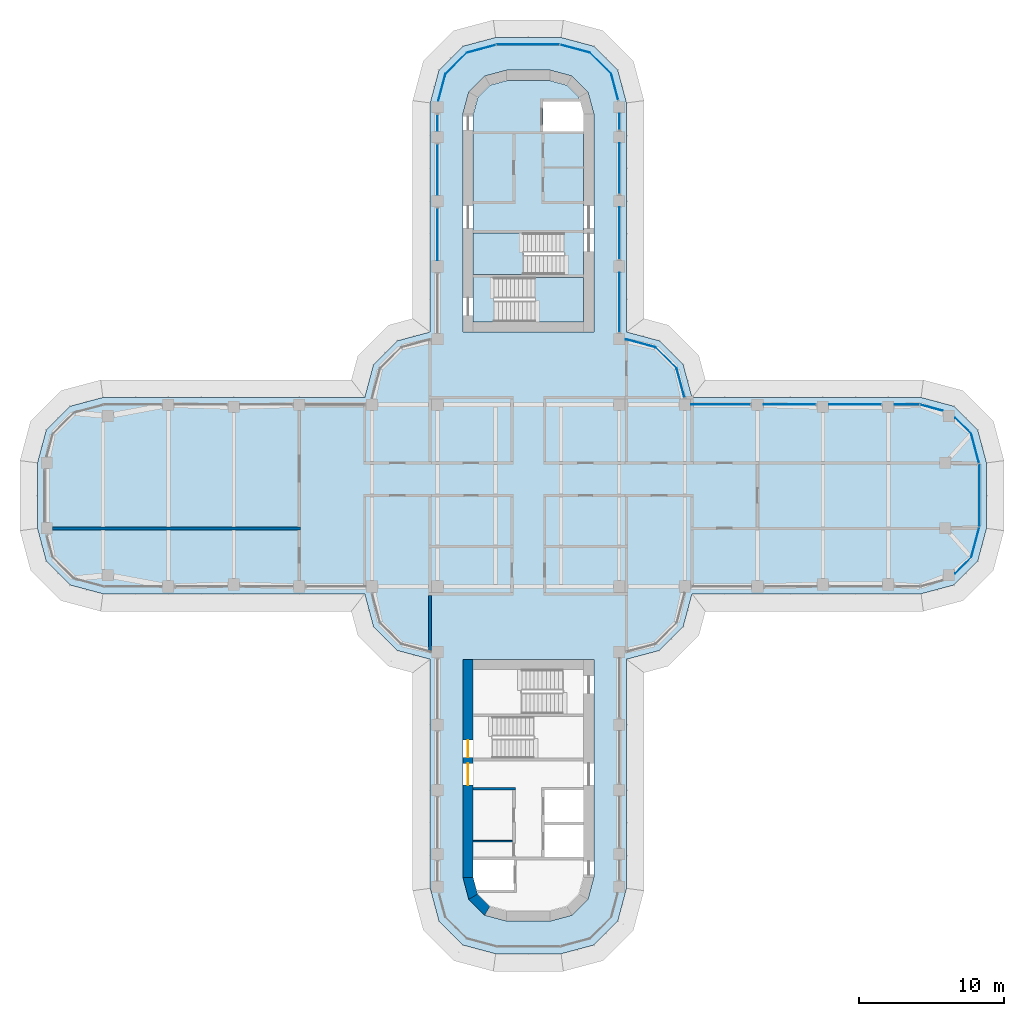
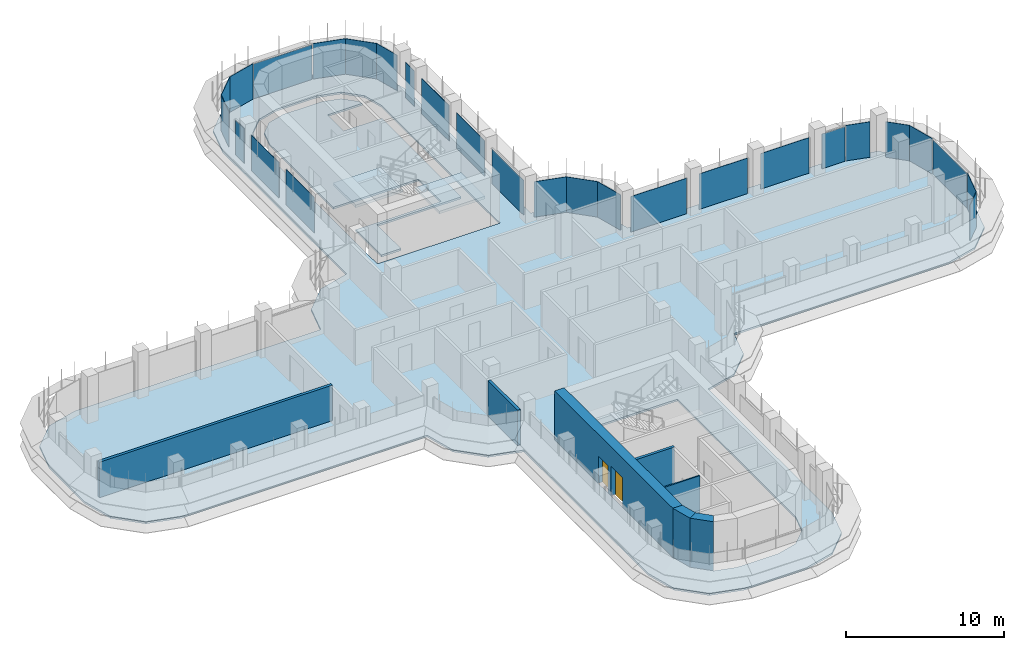
# One storey, part 12 of 19: 27 plates, 7 walls, 4 slabs, 2 doors, 2 openings, 21 elements without a shape of their own.
"""IFC4 building model written with IfcOpenShell, lengths in metres."""

from ifc_helpers import new_model, si_unit, direction, frame, frame_2d, origin, place, context, subcontext, project, spatial, polyline, rectangle, outline, extrude, source, transform, mapped, material, layer, layer_set, type_object, element, fill, aggregate, save


model = new_model("IFC4")

# Units and contexts
model_context = context("Model", 3, precision=1e-05, world=origin(), true_north=direction((0.0, 1.0)))
body_context = subcontext(model_context, "Body", "Model", "MODEL_VIEW")
ifc_project = project(units=[si_unit("LENGTHUNIT", "METRE"), si_unit("AREAUNIT", "SQUARE_METRE"), si_unit("VOLUMEUNIT", "CUBIC_METRE"), si_unit("PLANEANGLEUNIT", "RADIAN"), si_unit("MASSUNIT", "GRAM", prefix="KILO")], contexts=[model_context])

# Site, building, storey
site_placement = place(None, origin())
site = spatial("IfcSite", under=ifc_project, at=site_placement, CompositionType="ELEMENT")
building_placement = place(site_placement, origin())
building = spatial("IfcBuilding", under=site, at=building_placement, Name="Zarbagh Exchange Tower", CompositionType="ELEMENT")
storey_placement = place(building_placement, frame((0.0, 0.0, 179.0)))
storey = spatial("IfcBuildingStorey", under=building, at=storey_placement, Name="L43", CompositionType="ELEMENT", Elevation=179.0)

# Slabs
ifc_material_1 = material(Name="Concrete C40/50", Category="concrete")
ifc_layer_1 = layer(ifc_material_1, 0.14990234375)
ifc_layer_set_1 = layer_set([ifc_layer_1], Name="Composite floor slab 150 C40/50")
slab_type_1 = type_object("IfcSlabType", Name="Composite floor slab 150 C40/50", PredefinedType="FLOOR", material=ifc_layer_set_1)
slab_1_placement = place(storey_placement, frame((0.0, 0.0, -0.14990234375)))
element("IfcSlab", 1, at=slab_1_placement, inside=storey, type_object=slab_type_1, Name="S5 composite floor slab", PredefinedType="FLOOR", context=body_context, shape_type="SweptSolid", body=[
    extrude(outline(polyline([(-2.25, -31.5), (-4.5, -30.897216796875), (-6.147216796875, -29.25), (-6.75, -27.0), (-6.75, -11.25), (-9.0, -10.647216796875), (-10.647216796875, -9.0), (-11.25, -6.75), (-29.25, -6.75), (-31.5, -6.147216796875), (-33.147216796875, -4.5), (-33.75, -2.25), (-33.75, 2.25), (-33.147216796875, 4.5), (-31.5, 6.147216796875), (-29.25, 6.75), (-11.25, 6.75), (-10.647216796875, 9.0), (-9.0, 10.647216796875), (-6.75, 11.25), (-6.75, 27.0), (-6.147216796875, 29.25), (-4.5, 30.897216796875), (-2.25, 31.5), (2.25, 31.5), (4.5, 30.897216796875), (6.147216796875, 29.25), (6.75, 27.0), (6.75, 11.25), (9.0, 10.647216796875), (10.647216796875, 9.0), (11.25, 6.75), (27.0, 6.75), (29.25, 6.147216796875), (30.897216796875, 4.5), (31.5, 2.25), (31.5, -2.25), (30.897216796875, -4.5), (29.25, -6.147216796875), (27.0, -6.75), (11.25, -6.75), (10.647216796875, -9.0), (9.0, -10.647216796875), (6.75, -11.25), (6.75, -27.0), (6.147216796875, -29.25), (4.5, -30.897216796875), (2.25, -31.5), (-2.25, -31.5)]), holes=[polyline([(4.5, 11.25), (4.5, 26.25), (4.09814453125, 27.75), (3.0, 28.84814453125), (1.5, 29.25), (-1.5, 29.25), (-3.0, 28.84814453125), (-4.09814453125, 27.75), (-4.5, 26.25), (-4.5, 11.25), (4.5, 11.25)]), polyline([(-1.5, -29.25), (1.5, -29.25), (3.0, -28.84814453125), (4.09814453125, -27.75), (4.5, -26.25), (4.5, -11.25), (-4.5, -11.25), (-4.5, -26.25), (-4.09814453125, -27.75), (-3.0, -28.84814453125), (-1.5, -29.25)])]), origin(), (0.0, 0.0, 1.0), 0.14990234375),
])
ifc_layer_2 = layer(ifc_material_1, 0.14990234375)
ifc_layer_set_2 = layer_set([ifc_layer_2], Name="Core floor slab 150 C40/50")
slab_type_2 = type_object("IfcSlabType", Name="Core floor slab 150 C40/50", PredefinedType="FLOOR", material=ifc_layer_set_2)
slab_2_placement = place(storey_placement, frame((0.0, 0.0, -0.14990234375)))
element("IfcSlab", 2, at=slab_2_placement, inside=storey, type_object=slab_type_2, Name="S17 core N", PredefinedType="FLOOR", context=body_context, shape_type="SweptSolid", body=[
    extrude(outline(polyline([(-3.800048828125, 11.949951171875), (-3.800048828125, 15.199951171875), (2.449951171875, 15.199951171875), (2.449951171875, 18.050048828125), (-3.800048828125, 18.050048828125), (-3.800048828125, 26.15771484375), (-3.470458984375, 27.3876953125), (-2.6376953125, 28.220458984375), (-1.40771484375, 28.550048828125), (1.40771484375, 28.550048828125), (2.6376953125, 28.220458984375), (3.470458984375, 27.3876953125), (3.800048828125, 26.15771484375), (3.800048828125, 26.15771484375), (3.547607421875, 27.10009765625), (1.0, 27.10009765625), (1.0, 25.050048828125), (3.800048828125, 25.050048828125), (3.800048828125, 15.0), (-2.35009765625, 15.0), (-2.35009765625, 11.949951171875), (-3.800048828125, 11.949951171875)])), origin(), (0.0, 0.0, 1.0), 0.14990234375),
])

# Stair, slab
stair_type = type_object("IfcStairType", Name="Exit stair two-flight half-turn", PredefinedType="HALF_TURN_STAIR", material=ifc_material_1)
stair_1_placement = place(storey_placement, origin())
stair_1 = element("IfcStair", 3, at=stair_1_placement, inside=storey, type_object=stair_type, Name="exit stair ST1", PredefinedType="HALF_TURN_STAIR")
ifc_layer_3 = layer(ifc_material_1, 0.199951171875)
ifc_layer_set_3 = layer_set([ifc_layer_3], Name="Stair landing 200 mm")
slab_type_3 = type_object("IfcSlabType", Name="Stair landing 200 mm", PredefinedType="LANDING", material=ifc_layer_set_3)
slab_3_placement = place(storey_placement, frame((0.0, 0.0, 1.699951171875)))
slab_3 = element("IfcSlab", 4, at=slab_3_placement, type_object=slab_type_3, Name="ST1 landing 1", PredefinedType="LANDING", context=body_context, shape_type="SweptSolid", body=[
    extrude(outline(polyline([(-0.35009765625, 18.050048828125), (-3.800048828125, 18.050048828125), (-3.800048828125, 15.199951171875), (-0.35009765625, 15.199951171875), (-0.35009765625, 18.050048828125)])), origin(), (0.0, 0.0, 1.0), 0.199951171875),
])
aggregate(stair_1, [slab_3])

stair_2_placement = place(storey_placement, origin())
stair_2 = element("IfcStair", 5, at=stair_2_placement, inside=storey, type_object=stair_type, Name="exit stair ST2", PredefinedType="HALF_TURN_STAIR")
slab_4_placement = place(storey_placement, frame((0.0, 0.0, 1.699951171875)))
slab_4 = element("IfcSlab", 6, at=slab_4_placement, type_object=slab_type_3, Name="ST2 landing 1", PredefinedType="LANDING", context=body_context, shape_type="SweptSolid", body=[
    extrude(outline(polyline([(0.449951171875, 11.949951171875), (3.800048828125, 11.949951171875), (3.800048828125, 15.0), (0.449951171875, 15.0), (0.449951171875, 11.949951171875)])), origin(), (0.0, 0.0, 1.0), 0.199951171875),
])
aggregate(stair_2, [slab_4])

# Curtain wall, plate
ifc_material_2 = material(Name="Anodised aluminium frame and glazing", Category="aluminium")
curtain_wall_type = type_object("IfcCurtainWallType", Name="CWB Ribbon glazing, upper zones", PredefinedType="NOTDEFINED", material=ifc_material_2)
curtain_wall_1_placement = place(storey_placement, origin())
curtain_wall_1 = element("IfcCurtainWall", 7, at=curtain_wall_1_placement, inside=storey, type_object=curtain_wall_type, Name="CWB18 curtain wall", PredefinedType="NOTDEFINED")
ifc_material_3 = material(Name="Low-e double glazed unit, 6+12+6 mm")
ifc_layer_4 = layer(ifc_material_3, 0.031982421875)
ifc_layer_set_4 = layer_set([ifc_layer_4], Name="PAB Glazing panel, Low-e double glazed unit, 6+12+6 mm")
plate_type = type_object("IfcPlateType", Name="PAB Glazing panel, Low-e double glazed unit, 6+12+6 mm", PredefinedType="CURTAIN_PANEL", material=ifc_layer_set_4)
shared_shape_1 = source(origin(), body_context, "Body", "SweptSolid", [
    extrude(outline(polyline([(0.0, -0.01611328125), (2.061279296875, -0.01611328125), (2.061279296875, 0.01611328125), (0.0, 0.01611328125), (0.0, -0.01611328125)])), origin(), (0.0, 0.0, 1.0), 2.75),
])
placement = place(storey_placement, origin())
plate_1 = element("IfcPlate", 8, at=placement, type_object=plate_type, Name="CWB18 glazing panel 1.1", PredefinedType="CURTAIN_PANEL", context=body_context, shape_type="MappedRepresentation", body=[
    mapped(shared_shape_1, transform((10.19873046875, 8.7412109375, 0.0), x_axis=(-0.707106781187, 0.707106781187, 0.0), y_axis=(-0.707106781187, -0.707106781187, 0.0), z_axis=(0.0, 0.0, 1.0))),
])
aggregate(curtain_wall_1, [plate_1])

curtain_wall_2_placement = place(storey_placement, origin())
curtain_wall_2 = element("IfcCurtainWall", 9, at=curtain_wall_2_placement, inside=storey, type_object=curtain_wall_type, Name="CWB22 curtain wall", PredefinedType="NOTDEFINED")
plate_2 = element("IfcPlate", 10, at=placement, type_object=plate_type, Name="CWB22 glazing panel 1.1", PredefinedType="CURTAIN_PANEL", context=body_context, shape_type="MappedRepresentation", body=[
    mapped(shared_shape_1, transform((5.69873046875, 28.9912109375, 0.0), x_axis=(-0.707106781187, 0.707106781187, 0.0), y_axis=(-0.707106781187, -0.707106781187, 0.0), z_axis=(0.0, 0.0, 1.0))),
])
aggregate(curtain_wall_2, [plate_2])

curtain_wall_3_placement = place(storey_placement, origin())
curtain_wall_3 = element("IfcCurtainWall", 11, at=curtain_wall_3_placement, inside=storey, type_object=curtain_wall_type, Name="CWB26 curtain wall", PredefinedType="NOTDEFINED")
plate_3 = element("IfcPlate", 12, at=placement, type_object=plate_type, Name="CWB26 glazing panel 1.1", PredefinedType="CURTAIN_PANEL", context=body_context, shape_type="MappedRepresentation", body=[
    mapped(shared_shape_1, transform((-4.2412109375, 30.44873046875, 0.0), x_axis=(-0.707106781187, -0.707106781187, 0.0), y_axis=(0.707106781187, -0.707106781187, 0.0), z_axis=(0.0, 0.0, 1.0))),
])
aggregate(curtain_wall_3, [plate_3])

curtain_wall_4_placement = place(storey_placement, origin())
curtain_wall_4 = element("IfcCurtainWall", 13, at=curtain_wall_4_placement, inside=storey, type_object=curtain_wall_type, Name="CWB11 curtain wall", PredefinedType="NOTDEFINED")
shared_shape_2 = source(origin(), body_context, "Body", "SweptSolid", [
    extrude(outline(polyline([(0.0, -0.01611328125), (2.129638671875, -0.01611328125), (2.129638671875, 0.01611328125), (0.0, 0.01611328125), (0.0, -0.01611328125)])), origin(), (0.0, 0.0, 1.0), 2.75),
])
plate_4 = element("IfcPlate", 14, at=placement, type_object=plate_type, Name="CWB11 glazing panel 1.1", PredefinedType="CURTAIN_PANEL", context=body_context, shape_type="MappedRepresentation", body=[
    mapped(shared_shape_2, transform((30.44873046875, -4.2412109375, 0.0), x_axis=(0.258824779902, 0.965924289636, 0.0), y_axis=(-0.965924289636, 0.258824779902, 0.0), z_axis=(0.0, 0.0, 1.0))),
])
aggregate(curtain_wall_4, [plate_4])

curtain_wall_5_placement = place(storey_placement, origin())
curtain_wall_5 = element("IfcCurtainWall", 15, at=curtain_wall_5_placement, inside=storey, type_object=curtain_wall_type, Name="CWB23 curtain wall", PredefinedType="NOTDEFINED")
plate_5 = element("IfcPlate", 16, at=placement, type_object=plate_type, Name="CWB23 glazing panel 1.1", PredefinedType="CURTAIN_PANEL", context=body_context, shape_type="MappedRepresentation", body=[
    mapped(shared_shape_2, transform((4.2412109375, 30.44873046875, 0.0), x_axis=(-0.965924289636, 0.258824779902, 0.0), y_axis=(-0.258824779902, -0.965924289636, 0.0), z_axis=(0.0, 0.0, 1.0))),
])
aggregate(curtain_wall_5, [plate_5])

curtain_wall_6_placement = place(storey_placement, origin())
curtain_wall_6 = element("IfcCurtainWall", 17, at=curtain_wall_6_placement, inside=storey, type_object=curtain_wall_type, Name="CWB20 curtain wall", PredefinedType="NOTDEFINED")
shared_shape_3 = source(origin(), body_context, "Body", "SweptSolid", [
    extrude(outline(polyline([(0.0, -0.01611328125), (3.4599609375, -0.01611328125), (3.4599609375, 0.01611328125), (0.0, 0.01611328125), (0.0, -0.01611328125)])), origin(), (0.0, 0.0, 1.0), 2.75),
])
plate_6 = element("IfcPlate", 18, at=placement, type_object=plate_type, Name="CWB20 glazing panel 3.1", PredefinedType="CURTAIN_PANEL", context=body_context, shape_type="MappedRepresentation", body=[
    mapped(shared_shape_3, transform((6.25, 20.75, 0.0), x_axis=(0.0, 1.0, 0.0), y_axis=(-1.0, 0.0, 0.0), z_axis=(0.0, 0.0, 1.0))),
])

curtain_wall_7_placement = place(storey_placement, origin())
curtain_wall_7 = element("IfcCurtainWall", 19, at=curtain_wall_7_placement, inside=storey, type_object=curtain_wall_type, Name="CWB28 curtain wall", PredefinedType="NOTDEFINED")
plate_7 = element("IfcPlate", 20, at=placement, type_object=plate_type, Name="CWB28 glazing panel 2.1", PredefinedType="CURTAIN_PANEL", context=body_context, shape_type="MappedRepresentation", body=[
    mapped(shared_shape_3, transform((-6.25, 24.14990234375, 0.0), x_axis=(0.0, -1.0, 0.0), y_axis=(1.0, 0.0, 0.0), z_axis=(0.0, 0.0, 1.0))),
])

# Curtain wall, plates
curtain_wall_8_placement = place(storey_placement, origin())
curtain_wall_8 = element("IfcCurtainWall", 21, at=curtain_wall_8_placement, inside=storey, type_object=curtain_wall_type, Name="CWB16 curtain wall", PredefinedType="NOTDEFINED")
shared_shape_4 = source(origin(), body_context, "Body", "SweptSolid", [
    extrude(outline(polyline([(0.0, -0.01611328125), (3.56005859375, -0.01611328125), (3.56005859375, 0.01611328125), (0.0, 0.01611328125), (0.0, -0.01611328125)])), origin(), (0.0, 0.0, 1.0), 2.75),
])
plate_8 = element("IfcPlate", 22, at=placement, type_object=plate_type, Name="CWB16 glazing panel 2.1", PredefinedType="CURTAIN_PANEL", context=body_context, shape_type="MappedRepresentation", body=[
    mapped(shared_shape_4, transform((24.25, 6.25, 0.0), x_axis=(-1.0, 0.0, 0.0), y_axis=(0.0, -1.0, 0.0), z_axis=(0.0, 0.0, 1.0))),
])
plate_9 = element("IfcPlate", 23, at=placement, type_object=plate_type, Name="CWB16 glazing panel 3.1", PredefinedType="CURTAIN_PANEL", context=body_context, shape_type="MappedRepresentation", body=[
    mapped(shared_shape_4, transform((19.75, 6.25, 0.0), x_axis=(-1.0, 0.0, 0.0), y_axis=(0.0, -1.0, 0.0), z_axis=(0.0, 0.0, 1.0))),
])

# Plate
plate_10 = element("IfcPlate", 24, at=placement, type_object=plate_type, Name="CWB20 glazing panel 2.1", PredefinedType="CURTAIN_PANEL", context=body_context, shape_type="MappedRepresentation", body=[
    mapped(shared_shape_4, transform((6.25, 16.25, 0.0), x_axis=(0.0, 1.0, 0.0), y_axis=(-1.0, 0.0, 0.0), z_axis=(0.0, 0.0, 1.0))),
])

plate_11 = element("IfcPlate", 25, at=placement, type_object=plate_type, Name="CWB28 glazing panel 3.1", PredefinedType="CURTAIN_PANEL", context=body_context, shape_type="MappedRepresentation", body=[
    mapped(shared_shape_4, transform((-6.25, 19.75, 0.0), x_axis=(0.0, -1.0, 0.0), y_axis=(1.0, 0.0, 0.0), z_axis=(0.0, 0.0, 1.0))),
])

shared_shape_5 = source(origin(), body_context, "Body", "SweptSolid", [
    extrude(outline(polyline([(0.0, -0.01611328125), (4.06005859375, -0.01611328125), (4.06005859375, 0.01611328125), (0.0, 0.01611328125), (0.0, -0.01611328125)])), origin(), (0.0, 0.0, 1.0), 2.75),
])
plate_12 = element("IfcPlate", 26, at=placement, type_object=plate_type, Name="CWB16 glazing panel 4.1", PredefinedType="CURTAIN_PANEL", context=body_context, shape_type="MappedRepresentation", body=[
    mapped(shared_shape_5, transform((15.25, 6.25, 0.0), x_axis=(-1.0, 0.0, 0.0), y_axis=(0.0, -1.0, 0.0), z_axis=(0.0, 0.0, 1.0))),
])

# Curtain wall, plate
curtain_wall_9_placement = place(storey_placement, origin())
curtain_wall_9 = element("IfcCurtainWall", 27, at=curtain_wall_9_placement, inside=storey, type_object=curtain_wall_type, Name="CWB17 curtain wall", PredefinedType="NOTDEFINED")
shared_shape_6 = source(origin(), body_context, "Body", "SweptSolid", [
    extrude(outline(polyline([(0.0, -0.01611328125), (2.063720703125, -0.01611328125), (2.063720703125, 0.01611328125), (0.0, 0.01611328125), (0.0, -0.01611328125)])), origin(), (0.0, 0.0, 1.0), 2.75),
])
plate_13 = element("IfcPlate", 28, at=placement, type_object=plate_type, Name="CWB17 glazing panel 1.1", PredefinedType="CURTAIN_PANEL", context=body_context, shape_type="MappedRepresentation", body=[
    mapped(shared_shape_6, transform((10.73291015625, 6.748046875, 0.0), x_axis=(-0.258824779902, 0.965924289636, 0.0), y_axis=(-0.965924289636, -0.258824779902, 0.0), z_axis=(0.0, 0.0, 1.0))),
])
aggregate(curtain_wall_9, [plate_13])

curtain_wall_10_placement = place(storey_placement, origin())
curtain_wall_10 = element("IfcCurtainWall", 29, at=curtain_wall_10_placement, inside=storey, type_object=curtain_wall_type, Name="CWB19 curtain wall", PredefinedType="NOTDEFINED")
shared_shape_7 = source(origin(), body_context, "Body", "SweptSolid", [
    extrude(outline(polyline([(0.0, -0.01611328125), (2.12353515625, -0.01611328125), (2.12353515625, 0.01611328125), (0.0, 0.01611328125), (0.0, -0.01611328125)])), origin(), (0.0, 0.0, 1.0), 2.75),
])
plate_14 = element("IfcPlate", 30, at=placement, type_object=plate_type, Name="CWB19 glazing panel 1.1", PredefinedType="CURTAIN_PANEL", context=body_context, shape_type="MappedRepresentation", body=[
    mapped(shared_shape_7, transform((8.7412109375, 10.19873046875, 0.0), x_axis=(-0.965924289636, 0.258824779902, 0.0), y_axis=(-0.258824779902, -0.965924289636, 0.0), z_axis=(0.0, 0.0, 1.0))),
])
aggregate(curtain_wall_10, [plate_14])

# Plate
shared_shape_8 = source(origin(), body_context, "Body", "SweptSolid", [
    extrude(outline(polyline([(0.0, -0.01611328125), (4.06005859375, -0.01611328125), (4.06005859375, 0.01611328125), (0.0, 0.01611328125), (0.0, -0.01611328125)])), origin(), (0.0, 0.0, 1.0), 2.68994140625),
])
plate_15 = element("IfcPlate", 31, at=placement, type_object=plate_type, Name="CWB20 glazing panel 1.1", PredefinedType="CURTAIN_PANEL", context=body_context, shape_type="MappedRepresentation", body=[
    mapped(shared_shape_8, transform((6.25, 11.25, 0.0), x_axis=(0.0, 1.0, 0.0), y_axis=(-1.0, 0.0, 0.0), z_axis=(0.0, 0.0, 1.0))),
])

# Curtain wall, plate
curtain_wall_11_placement = place(storey_placement, origin())
curtain_wall_11 = element("IfcCurtainWall", 32, at=curtain_wall_11_placement, inside=storey, type_object=curtain_wall_type, Name="CWB10 curtain wall", PredefinedType="NOTDEFINED")
shared_shape_9 = source(origin(), body_context, "Body", "SweptSolid", [
    extrude(outline(polyline([(0.0, -0.01611328125), (1.556884765625, -0.01611328125), (1.556884765625, 0.01611328125), (0.0, 0.01611328125), (0.0, -0.01611328125)])), origin(), (0.0, 0.0, 1.0), 2.75),
])
plate_16 = element("IfcPlate", 33, at=placement, type_object=plate_type, Name="CWB10 glazing panel 1.1", PredefinedType="CURTAIN_PANEL", context=body_context, shape_type="MappedRepresentation", body=[
    mapped(shared_shape_9, transform((29.347900390625, -5.342041015625, 0.0), x_axis=(0.707106781187, 0.707106781187, 0.0), y_axis=(-0.707106781187, 0.707106781187, 0.0), z_axis=(0.0, 0.0, 1.0))),
])
aggregate(curtain_wall_11, [plate_16])

curtain_wall_12_placement = place(storey_placement, origin())
curtain_wall_12 = element("IfcCurtainWall", 34, at=curtain_wall_12_placement, inside=storey, type_object=curtain_wall_type, Name="CWB14 curtain wall", PredefinedType="NOTDEFINED")
plate_17 = element("IfcPlate", 35, at=placement, type_object=plate_type, Name="CWB14 glazing panel 1.1", PredefinedType="CURTAIN_PANEL", context=body_context, shape_type="MappedRepresentation", body=[
    mapped(shared_shape_9, transform((30.44873046875, 4.2412109375, 0.0), x_axis=(-0.707106781187, 0.707106781187, 0.0), y_axis=(-0.707106781187, -0.707106781187, 0.0), z_axis=(0.0, 0.0, 1.0))),
])
aggregate(curtain_wall_12, [plate_17])

curtain_wall_13_placement = place(storey_placement, origin())
curtain_wall_13 = element("IfcCurtainWall", 36, at=curtain_wall_13_placement, inside=storey, type_object=curtain_wall_type, Name="CWB12 curtain wall", PredefinedType="NOTDEFINED")
shared_shape_10 = source(origin(), body_context, "Body", "SweptSolid", [
    extrude(outline(polyline([(0.0, -0.01611328125), (4.308349609375, -0.01611328125), (4.308349609375, 0.01611328125), (0.0, 0.01611328125), (0.0, -0.01611328125)])), origin(), (0.0, 0.0, 1.0), 2.68994140625),
])
plate_18 = element("IfcPlate", 37, at=placement, type_object=plate_type, Name="CWB12 glazing panel 1.1", PredefinedType="CURTAIN_PANEL", context=body_context, shape_type="MappedRepresentation", body=[
    mapped(shared_shape_10, transform((31.0, -2.124267578125, 0.0), x_axis=(0.0, 1.0, 0.0), y_axis=(-1.0, 0.0, 0.0), z_axis=(0.0, 0.0, 1.0))),
])
aggregate(curtain_wall_13, [plate_18])

curtain_wall_14_placement = place(storey_placement, origin())
curtain_wall_14 = element("IfcCurtainWall", 38, at=curtain_wall_14_placement, inside=storey, type_object=curtain_wall_type, Name="CWB24 curtain wall", PredefinedType="NOTDEFINED")
plate_19 = element("IfcPlate", 39, at=placement, type_object=plate_type, Name="CWB24 glazing panel 1.1", PredefinedType="CURTAIN_PANEL", context=body_context, shape_type="MappedRepresentation", body=[
    mapped(shared_shape_10, transform((2.124267578125, 31.0, 0.0), x_axis=(-1.0, 0.0, 0.0), y_axis=(0.0, -1.0, 0.0), z_axis=(0.0, 0.0, 1.0))),
])
aggregate(curtain_wall_14, [plate_19])

curtain_wall_15_placement = place(storey_placement, origin())
curtain_wall_15 = element("IfcCurtainWall", 40, at=curtain_wall_15_placement, inside=storey, type_object=curtain_wall_type, Name="CWB13 curtain wall", PredefinedType="NOTDEFINED")
shared_shape_11 = source(origin(), body_context, "Body", "SweptSolid", [
    extrude(outline(polyline([(0.0, -0.01611328125), (2.069580078125, -0.01611328125), (2.069580078125, 0.01611328125), (0.0, 0.01611328125), (0.0, -0.01611328125)])), origin(), (0.0, 0.0, 1.0), 2.75),
])
plate_20 = element("IfcPlate", 41, at=placement, type_object=plate_type, Name="CWB13 glazing panel 1.1", PredefinedType="CURTAIN_PANEL", context=body_context, shape_type="MappedRepresentation", body=[
    mapped(shared_shape_11, transform((30.984375, 2.2421875, 0.0), x_axis=(-0.258824779902, 0.965924289636, 0.0), y_axis=(-0.965924289636, -0.258824779902, 0.0), z_axis=(0.0, 0.0, 1.0))),
])
aggregate(curtain_wall_15, [plate_20])

curtain_wall_16_placement = place(storey_placement, origin())
curtain_wall_16 = element("IfcCurtainWall", 42, at=curtain_wall_16_placement, inside=storey, type_object=curtain_wall_type, Name="CWB25 curtain wall", PredefinedType="NOTDEFINED")
plate_21 = element("IfcPlate", 43, at=placement, type_object=plate_type, Name="CWB25 glazing panel 1.1", PredefinedType="CURTAIN_PANEL", context=body_context, shape_type="MappedRepresentation", body=[
    mapped(shared_shape_11, transform((-2.2421875, 30.984375, 0.0), x_axis=(-0.965924289636, -0.258824779902, 0.0), y_axis=(0.258824779902, -0.965924289636, 0.0), z_axis=(0.0, 0.0, 1.0))),
])
aggregate(curtain_wall_16, [plate_21])

curtain_wall_17_placement = place(storey_placement, origin())
curtain_wall_17 = element("IfcCurtainWall", 44, at=curtain_wall_17_placement, inside=storey, type_object=curtain_wall_type, Name="CWB15 curtain wall", PredefinedType="NOTDEFINED")
shared_shape_12 = source(origin(), body_context, "Body", "SweptSolid", [
    extrude(outline(polyline([(0.0, -0.01611328125), (1.587890625, -0.01611328125), (1.587890625, 0.01611328125), (0.0, 0.01611328125), (0.0, -0.01611328125)])), origin(), (0.0, 0.0, 1.0), 2.75),
])
plate_22 = element("IfcPlate", 45, at=placement, type_object=plate_type, Name="CWB15 glazing panel 1.1", PredefinedType="CURTAIN_PANEL", context=body_context, shape_type="MappedRepresentation", body=[
    mapped(shared_shape_12, transform((28.468017578125, 5.839111328125, 0.0), x_axis=(-0.965924289636, 0.258824779902, 0.0), y_axis=(-0.258824779902, -0.965924289636, 0.0), z_axis=(0.0, 0.0, 1.0))),
])
aggregate(curtain_wall_17, [plate_22])

# Plate
shared_shape_13 = source(origin(), body_context, "Body", "SweptSolid", [
    extrude(outline(polyline([(0.0, -0.01611328125), (1.68408203125, -0.01611328125), (1.68408203125, 0.01611328125), (0.0, 0.01611328125), (0.0, -0.01611328125)])), origin(), (0.0, 0.0, 1.0), 2.68994140625),
])
plate_23 = element("IfcPlate", 46, at=placement, type_object=plate_type, Name="CWB16 glazing panel 1.1", PredefinedType="CURTAIN_PANEL", context=body_context, shape_type="MappedRepresentation", body=[
    mapped(shared_shape_13, transform((26.874267578125, 6.25, 0.0), x_axis=(-1.0, 0.0, 0.0), y_axis=(0.0, -1.0, 0.0), z_axis=(0.0, 0.0, 1.0))),
])

aggregate(curtain_wall_8, [plate_23, plate_8, plate_9, plate_12])

shared_shape_14 = source(origin(), body_context, "Body", "SweptSolid", [
    extrude(outline(polyline([(0.0, -0.01611328125), (1.110107421875, -0.01611328125), (1.110107421875, 0.01611328125), (0.0, 0.01611328125), (0.0, -0.01611328125)])), origin(), (0.0, 0.0, 1.0), 2.75),
])
plate_24 = element("IfcPlate", 47, at=placement, type_object=plate_type, Name="CWB20 glazing panel 4.1", PredefinedType="CURTAIN_PANEL", context=body_context, shape_type="MappedRepresentation", body=[
    mapped(shared_shape_14, transform((6.25, 25.150146484375, 0.0), x_axis=(0.0, 1.0, 0.0), y_axis=(-1.0, 0.0, 0.0), z_axis=(0.0, 0.0, 1.0))),
])

aggregate(curtain_wall_6, [plate_15, plate_10, plate_6, plate_24])

# Curtain wall, plate
curtain_wall_18_placement = place(storey_placement, origin())
curtain_wall_18 = element("IfcCurtainWall", 48, at=curtain_wall_18_placement, inside=storey, type_object=curtain_wall_type, Name="CWB21 curtain wall", PredefinedType="NOTDEFINED")
shared_shape_15 = source(origin(), body_context, "Body", "SweptSolid", [
    extrude(outline(polyline([(0.0, -0.01611328125), (1.8564453125, -0.01611328125), (1.8564453125, 0.01611328125), (0.0, 0.01611328125), (0.0, -0.01611328125)])), origin(), (0.0, 0.0, 1.0), 2.75),
])
plate_25 = element("IfcPlate", 49, at=placement, type_object=plate_type, Name="CWB21 glazing panel 1.1", PredefinedType="CURTAIN_PANEL", context=body_context, shape_type="MappedRepresentation", body=[
    mapped(shared_shape_15, transform((6.17919921875, 27.197998046875, 0.0), x_axis=(-0.258824779902, 0.965924289636, 0.0), y_axis=(-0.965924289636, -0.258824779902, 0.0), z_axis=(0.0, 0.0, 1.0))),
])
aggregate(curtain_wall_18, [plate_25])

curtain_wall_19_placement = place(storey_placement, origin())
curtain_wall_19 = element("IfcCurtainWall", 50, at=curtain_wall_19_placement, inside=storey, type_object=curtain_wall_type, Name="CWB27 curtain wall", PredefinedType="NOTDEFINED")
shared_shape_16 = source(origin(), body_context, "Body", "SweptSolid", [
    extrude(outline(polyline([(0.0, -0.01611328125), (1.91650390625, -0.01611328125), (1.91650390625, 0.01611328125), (0.0, 0.01611328125), (0.0, -0.01611328125)])), origin(), (0.0, 0.0, 1.0), 2.75),
])
plate_26 = element("IfcPlate", 51, at=placement, type_object=plate_type, Name="CWB27 glazing panel 1.1", PredefinedType="CURTAIN_PANEL", context=body_context, shape_type="MappedRepresentation", body=[
    mapped(shared_shape_16, transform((-5.69873046875, 28.9912109375, 0.0), x_axis=(-0.258824779902, -0.965924289636, 0.0), y_axis=(0.965924289636, -0.258824779902, 0.0), z_axis=(0.0, 0.0, 1.0))),
])
aggregate(curtain_wall_19, [plate_26])

# Plate
shared_shape_17 = source(origin(), body_context, "Body", "SweptSolid", [
    extrude(outline(polyline([(0.0, -0.01611328125), (1.110107421875, -0.01611328125), (1.110107421875, 0.01611328125), (0.0, 0.01611328125), (0.0, -0.01611328125)])), origin(), (0.0, 0.0, 1.0), 2.68994140625),
])
plate_27 = element("IfcPlate", 52, at=placement, type_object=plate_type, Name="CWB28 glazing panel 1.1", PredefinedType="CURTAIN_PANEL", context=body_context, shape_type="MappedRepresentation", body=[
    mapped(shared_shape_17, transform((-6.25, 26.199951171875, 0.0), x_axis=(0.0, -1.0, 0.0), y_axis=(1.0, 0.0, 0.0), z_axis=(0.0, 0.0, 1.0))),
])

aggregate(curtain_wall_7, [plate_27, plate_7, plate_11])

# Walls
ifc_material_4 = material(Name="Dense blockwork", Category="masonry")
ifc_layer_5 = layer(ifc_material_4, 0.10009765625)
ifc_layer_set_5 = layer_set([ifc_layer_5], Name="Core partition 100 mm blockwork")
wall_type_1 = type_object("IfcWallType", Name="Core partition 100 mm blockwork", PredefinedType="PARTITIONING", material=ifc_layer_set_5)
wall_1_placement = place(storey_placement, frame((-1.10009765625, -23.75, 0.0), z_axis=(0.0, 0.0, 1.0), x_axis=(-1.0, 0.0, 0.0)))
element("IfcWall", 53, at=wall_1_placement, inside=storey, type_object=wall_type_1, Name="South core partition wall CUT-E-460", PredefinedType="PARTITIONING", context=body_context, shape_type="SweptSolid", body=[
    extrude(rectangle(XDim=2.699951171875, YDim=0.10009765625, at=frame_2d((1.35009765625, 0.0))), origin(), (0.0, 0.0, 1.0), 3.64990234375),
])
ifc_material_5 = material(Name="Fire-rated plasterboard partition")
ifc_layer_6 = layer(ifc_material_5, 0.199951171875)
ifc_layer_set_6 = layer_set([ifc_layer_6], Name="RATED PARTITION 200")
wall_type_2 = type_object("IfcWallType", Name="RATED PARTITION 200", PredefinedType="PARTITIONING", material=ifc_layer_set_6)
wall_2_placement = place(storey_placement, frame((-6.75, -10.6298828125, 0.0), z_axis=(0.0, 0.0, 1.0), x_axis=(0.0, 1.0, 0.0)))
element("IfcWall", 54, at=wall_2_placement, inside=storey, type_object=wall_type_2, Name="Partition W-1922", PredefinedType="PARTITIONING", context=body_context, shape_type="SweptSolid", body=[
    extrude(rectangle(XDim=3.77978515625, YDim=0.199951171875, at=frame_2d((1.889892578125, 0.0))), origin(), (0.0, 0.0, 1.0), 2.75),
])
wall_3_placement = place(storey_placement, frame((-32.7099609375, -2.25, 0.0), z_axis=(0.0, 0.0, 1.0), x_axis=(1.0, 0.0, 0.0)))
element("IfcWall", 55, at=wall_3_placement, inside=storey, type_object=wall_type_2, Name="Partition W-1946", PredefinedType="PARTITIONING", context=body_context, shape_type="SweptSolid", body=[
    extrude(rectangle(XDim=17.06005859375, YDim=0.199951171875, at=frame_2d((8.530029296875, 0.0))), origin(), (0.0, 0.0, 1.0), 2.75),
])
ifc_material_6 = material(Name="Concrete C50/60", Category="concrete")
ifc_layer_7 = layer(ifc_material_6, 0.699951171875)
ifc_layer_set_7 = layer_set([ifc_layer_7], Name="RC core corner wall 700 C50/60")
wall_type_3 = type_object("IfcWallType", Name="RC core corner wall 700 C50/60", PredefinedType="SHEAR", material=ifc_layer_set_7)
wall_4_placement = place(storey_placement, origin())
element("IfcWall", 56, at=wall_4_placement, inside=storey, type_object=wall_type_3, Name="CW6 core S corner W", PredefinedType="SHEAR", context=body_context, shape_type="SweptSolid", body=[
    extrude(outline(polyline([(-4.5, -26.25), (-4.09814453125, -27.75), (-3.491943359375, -27.39990234375), (-3.800048828125, -26.25), (-4.5, -26.25)])), origin(), (0.0, 0.0, 1.0), 3.800048828125),
])
wall_5_placement = place(storey_placement, origin())
element("IfcWall", 57, at=wall_5_placement, inside=storey, type_object=wall_type_3, Name="CW6 core S corner W", PredefinedType="SHEAR", context=body_context, shape_type="SweptSolid", body=[
    extrude(outline(polyline([(-4.09814453125, -27.75), (-3.0, -28.84814453125), (-2.64990234375, -28.241943359375), (-3.491943359375, -27.39990234375), (-4.09814453125, -27.75)])), origin(), (0.0, 0.0, 1.0), 3.800048828125),
])

# Wall, openings, doors
ifc_layer_8 = layer(ifc_material_6, 0.699951171875)
ifc_layer_set_8 = layer_set([ifc_layer_8], Name="RC core wall 700 C50/60")
wall_type_4 = type_object("IfcWallType", Name="RC core wall 700 C50/60", PredefinedType="SHEAR", material=ifc_layer_set_8)
wall_6_placement = place(storey_placement, frame((-4.14990234375, -11.25, 0.0), z_axis=(0.0, 0.0, 1.0), x_axis=(0.0, -1.0, 0.0)))
wall_6 = element("IfcWall", 58, at=wall_6_placement, inside=storey, type_object=wall_type_4, Name="CW5 core S W", PredefinedType="SHEAR", context=body_context, shape_type="SweptSolid", body=[
    extrude(rectangle(XDim=15.0, YDim=0.699951171875, at=frame_2d((7.5, 0.0))), origin(), (0.0, 0.0, 1.0), 3.800048828125),
])
opening_1_placement = place(wall_6_placement, frame((7.14990234375, 0.0, 0.0)))
opening_1 = element("IfcOpeningElement", 59, at=opening_1_placement, cuts=wall_6, Name="Opening CD1-1500", PredefinedType="OPENING", context=body_context, shape_type="SweptSolid", body=[
    extrude(rectangle(XDim=1.5, YDim=2.300048828125, at=frame_2d((0.75, 1.14990234375))), frame((0.0, 0.35986328125, 0.0), z_axis=(0.0, -1.0, 0.0), x_axis=(1.0, 0.0, 0.0)), (0.0, 0.0, 1.0), 0.719970703125),
])
opening_2_placement = place(wall_6_placement, frame((5.550048828125, 0.0, 0.0)))
opening_2 = element("IfcOpeningElement", 60, at=opening_2_placement, cuts=wall_6, Name="Opening SD1-1200", PredefinedType="OPENING", context=body_context, shape_type="SweptSolid", body=[
    extrude(rectangle(XDim=1.199951171875, YDim=2.10009765625, at=frame_2d((0.60009765625, 1.050048828125))), frame((0.0, 0.35986328125, 0.0), z_axis=(0.0, -1.0, 0.0), x_axis=(1.0, 0.0, 0.0)), (0.0, 0.0, 1.0), 0.719970703125),
])
ifc_material_7 = material(Name="Steel", Category="steel")
door_type_1 = type_object("IfcDoorType", Name="Exit stair door 1200 x 2100", OperationType="NOTDEFINED", PredefinedType="DOOR", material=ifc_material_7)
door_1_placement = place(opening_2_placement, origin())
door_1 = element("IfcDoor", 61, at=door_1_placement, inside=storey, type_object=door_type_1, Name="South core stair door ST1", OperationType="SINGLE_SWING_RIGHT", OverallHeight=2.10009765625, OverallWidth=1.199951171875, PredefinedType="DOOR", context=body_context, shape_type="SweptSolid", body=[
    extrude(rectangle(XDim=1.199951171875, YDim=2.10009765625, at=frame_2d((0.60009765625, 1.050048828125))), frame((0.0, 0.02490234375, 0.0), z_axis=(0.0, -1.0, 0.0), x_axis=(1.0, 0.0, 0.0)), (0.0, 0.0, 1.0), 0.050048828125),
])
fill(opening_2, door_1)
door_type_2 = type_object("IfcDoorType", Name="Lift lobby double door 1500 x 2300", OperationType="NOTDEFINED", PredefinedType="DOOR", material=ifc_material_7)
door_2_placement = place(opening_1_placement, origin())
door_2 = element("IfcDoor", 62, at=door_2_placement, inside=storey, type_object=door_type_2, Name="South core lift lobby door LOBBY-E", OperationType="DOUBLE_DOOR_SINGLE_SWING", OverallHeight=2.300048828125, OverallWidth=1.5, PredefinedType="DOOR", context=body_context, shape_type="SweptSolid", body=[
    extrude(rectangle(XDim=1.5, YDim=2.300048828125, at=frame_2d((0.75, 1.14990234375))), frame((0.0, 0.02490234375, 0.0), z_axis=(0.0, -1.0, 0.0), x_axis=(1.0, 0.0, 0.0)), (0.0, 0.0, 1.0), 0.050048828125),
])
fill(opening_1, door_2)

# Wall
ifc_layer_9 = layer(ifc_material_4, 0.199951171875)
ifc_layer_set_9 = layer_set([ifc_layer_9], Name="Shaft wall 200 mm blockwork")
wall_type_5 = type_object("IfcWallType", Name="Shaft wall 200 mm blockwork", PredefinedType="PARTITIONING", material=ifc_layer_set_9)
wall_7_placement = place(storey_placement, frame((-0.89990234375, -20.14990234375, 0.0), z_axis=(0.0, 0.0, 1.0), x_axis=(-1.0, 0.0, 0.0)))
element("IfcWall", 63, at=wall_7_placement, inside=storey, type_object=wall_type_5, Name="South core shaft wall AB-E", PredefinedType="PARTITIONING", context=body_context, shape_type="SweptSolid", body=[
    extrude(rectangle(XDim=2.900146484375, YDim=0.199951171875, at=frame_2d((1.4501953125, 0.0))), origin(), (0.0, 0.0, 1.0), 3.64990234375),
])

save(model, "model.ifc")
